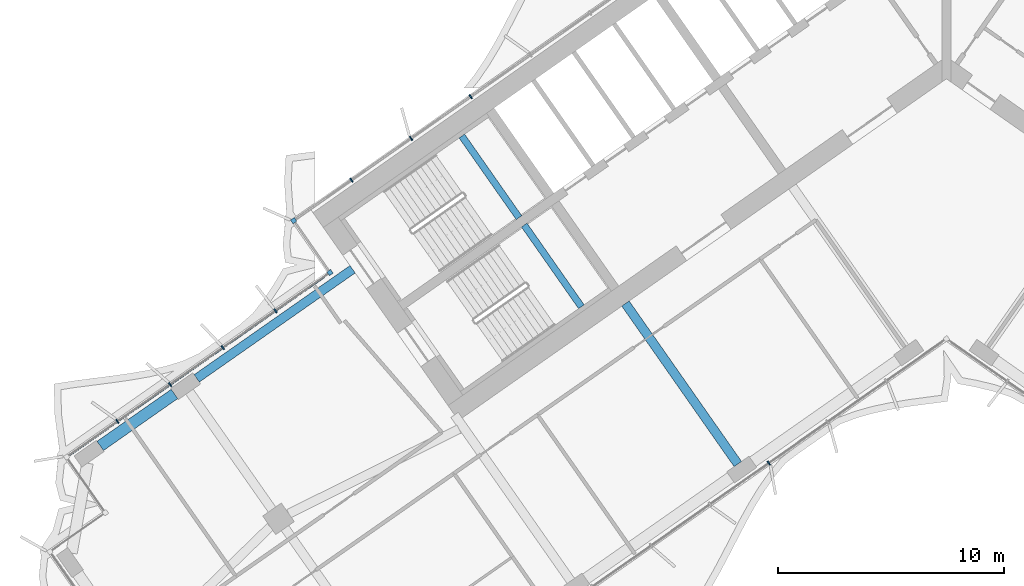
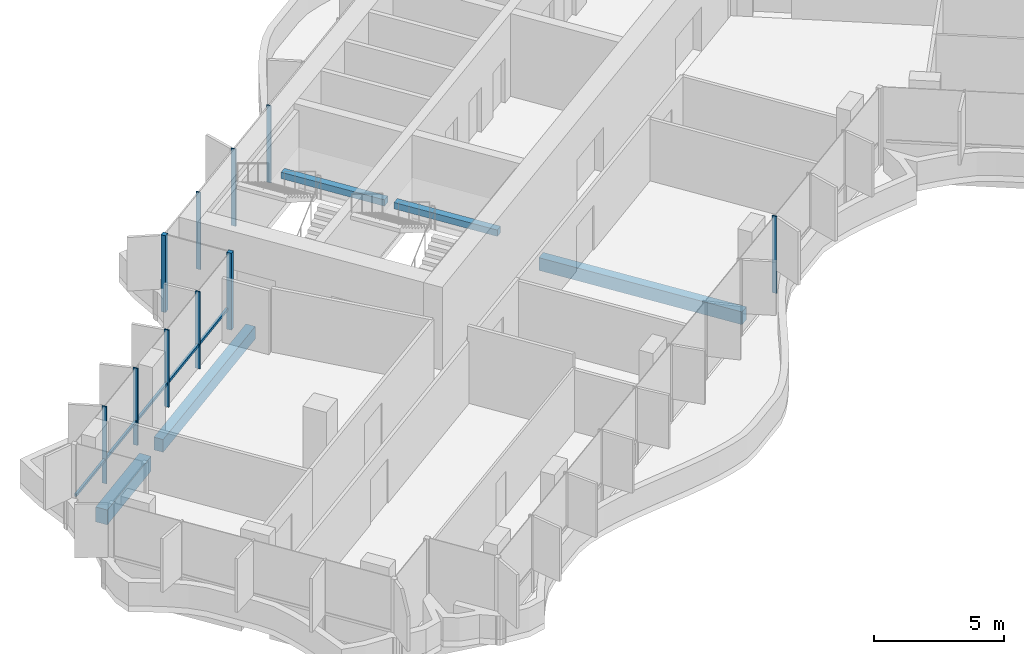
# One storey, part 4 of 21: 11 members, 5 beams, 2 elements without a shape of their own.
"""IFC4 building model written with IfcOpenShell, lengths in metres."""

from ifc_helpers import new_model, si_unit, direction, frame, origin, origin_2d, place, context, subcontext, project, spatial, rectangle, extrude, material, material_profile, profile_set, type_object, element, aggregate, save


model = new_model("IFC4")

# Units and contexts
model_context = context("Model", 3, precision=1e-05, world=origin(), true_north=direction((0.0, 1.0)))
body_context = subcontext(model_context, "Body", "Model", "MODEL_VIEW")
ifc_project = project(units=[si_unit("LENGTHUNIT", "METRE"), si_unit("AREAUNIT", "SQUARE_METRE"), si_unit("VOLUMEUNIT", "CUBIC_METRE"), si_unit("PLANEANGLEUNIT", "RADIAN"), si_unit("MASSUNIT", "GRAM", prefix="KILO")], contexts=[model_context])

# Site, building, storey
site_placement = place(None, origin())
site = spatial("IfcSite", under=ifc_project, at=site_placement, CompositionType="ELEMENT")
building_placement = place(site_placement, origin())
building = spatial("IfcBuilding", under=site, at=building_placement, Name="Tel Ilan Convention Tower", CompositionType="ELEMENT")
storey_placement = place(building_placement, frame((0.0, 0.0, 155.39990234375)))
storey = spatial("IfcBuildingStorey", under=building, at=storey_placement, Name="L35", CompositionType="ELEMENT", Elevation=155.39990234375)

# Beams
ifc_material_1 = material(Name="Concrete C40/50", Category="concrete")
ifc_material_profile_1 = material_profile(ifc_material_1, rectangle(XDim=0.39990234375, YDim=0.60009765625, at=origin_2d()), Name="RC 400x600")
ifc_profile_set_1 = profile_set([ifc_material_profile_1], Name="Concrete C40/50")
beam_type_1 = type_object("IfcBeamType", Name="Beam RC 400x600 Concrete C40/50", PredefinedType="BEAM", material=ifc_profile_set_1)
beam_1_placement = place(storey_placement, frame((-33.09912109375, -14.44775390625, -0.579833984375), z_axis=(0.819147254605, 0.573583276668, 0.0), x_axis=(-0.573583276668, 0.819147254605, 0.0)))
element("IfcBeam", 1, at=beam_1_placement, inside=storey, type_object=beam_type_1, Name="L35 beam W-W-B4-core", PredefinedType="BEAM", context=body_context, shape_type="SweptSolid", body=[
    extrude(rectangle(XDim=0.39990234375, YDim=0.60009765625, at=origin_2d()), origin(), (0.0, 0.0, 1.0), 8.400146484375),
])
beam_2_placement = place(storey_placement, frame((-9.209716796875, -18.229248046875, -0.579833984375), z_axis=(-0.573574099654, 0.819153680457, 0.0), x_axis=(-0.819153680457, -0.573574099654, 0.0)))
element("IfcBeam", 2, at=beam_2_placement, inside=storey, type_object=beam_type_1, Name="L35 beam W-W-F2-core", PredefinedType="BEAM", context=body_context, shape_type="SweptSolid", body=[
    extrude(rectangle(XDim=0.39990234375, YDim=0.60009765625, at=origin_2d()), origin(), (0.0, 0.0, 1.0), 8.64990234375),
])
ifc_material_2 = material(Name="Concrete C40/50", Category="concrete")
ifc_material_profile_2 = material_profile(ifc_material_2, rectangle(XDim=0.5, YDim=0.699951171875, at=origin_2d()), Name="RC 500x700")
ifc_profile_set_2 = profile_set([ifc_material_profile_2], Name="Concrete C40/50")
beam_type_2 = type_object("IfcBeamType", Name="Beam RC 500x700 Concrete C40/50", PredefinedType="BEAM", material=ifc_profile_set_2)
beam_3_placement = place(storey_placement, frame((-37.358642578125, -17.430419921875, -0.6298828125), z_axis=(0.819137286189, 0.573597512525, 0.0), x_axis=(-0.573597512525, 0.819137286189, 0.0)))
element("IfcBeam", 3, at=beam_3_placement, inside=storey, type_object=beam_type_2, Name="L35 beam W-W-BC-W-B4", PredefinedType="BEAM", context=body_context, shape_type="SweptSolid", body=[
    extrude(rectangle(XDim=0.5, YDim=0.699951171875, at=origin_2d()), origin(), (0.0, 0.0, 1.0), 4.0),
])

# Curtain wall, members
ifc_material_3 = material(Name="Aluminium, bronze anodised", Category="aluminium")
curtain_wall_type_1 = type_object("IfcCurtainWallType", Name="CW2 STICK CURTAIN WALL, SPANDREL PANELS", PredefinedType="NOTDEFINED", material=ifc_material_3)
curtain_wall_1_placement = place(storey_placement, origin())
curtain_wall_1 = element("IfcCurtainWall", 4, at=curtain_wall_1_placement, inside=storey, type_object=curtain_wall_type_1, Name="Curtain wall CW2-27.01", PredefinedType="NOTDEFINED")
ifc_material_4 = material(Name="Aluminium, bronze anodised", Category="aluminium")
ifc_material_profile_3 = material_profile(ifc_material_4, rectangle(XDim=0.199951171875, YDim=0.199951171875, at=origin_2d()), Name="CW CORNER MULLION 200x200")
ifc_profile_set_3 = profile_set([ifc_material_profile_3], Name="Aluminium, bronze anodised")
member_type_1 = type_object("IfcMemberType", Name="CW CORNER MULLION 200x200", PredefinedType="MULLION", material=ifc_profile_set_3)
member_1_placement = place(storey_placement, frame((-28.819580078125, -7.483642578125, 0.0), z_axis=(0.0, 0.0, 1.0), x_axis=(-0.819152044289, -0.573576436351, 0.0)))
member_1 = element("IfcMember", 5, at=member_1_placement, type_object=member_type_1, Name="Corner mullion", PredefinedType="MULLION", context=body_context, shape_type="SweptSolid", body=[
    extrude(rectangle(XDim=0.199951171875, YDim=0.199951171875, at=origin_2d()), origin(), (0.0, 0.0, 1.0), 3.6201171875),
])
member_2_placement = place(storey_placement, frame((-27.213623046875, -9.77734375, 0.0), z_axis=(0.0, 0.0, 1.0), x_axis=(0.573576436351, -0.819152044289, 0.0)))
member_2 = element("IfcMember", 6, at=member_2_placement, type_object=member_type_1, Name="Corner mullion", PredefinedType="MULLION", context=body_context, shape_type="SweptSolid", body=[
    extrude(rectangle(XDim=0.199951171875, YDim=0.199951171875, at=origin_2d()), origin(), (0.0, 0.0, 1.0), 3.6201171875),
])
ifc_material_5 = material(Name="Aluminium, bronze anodised", Category="aluminium")
ifc_material_profile_4 = material_profile(ifc_material_5, rectangle(XDim=0.06005859375, YDim=0.199951171875, at=origin_2d()), Name="CW MULLION 60x200")
ifc_profile_set_4 = profile_set([ifc_material_profile_4], Name="Aluminium, bronze anodised")
member_type_2 = type_object("IfcMemberType", Name="CW MULLION 60x200", PredefinedType="MULLION", material=ifc_profile_set_4)
member_3_placement = place(storey_placement, frame((-21.003662109375, -2.0107421875, 0.0), z_axis=(0.0, 0.0, 1.0), x_axis=(-0.819152044289, -0.573576436351, 0.0)))
member_3 = element("IfcMember", 7, at=member_3_placement, type_object=member_type_2, Name="Mullion", PredefinedType="MULLION", context=body_context, shape_type="SweptSolid", body=[
    extrude(rectangle(XDim=0.06005859375, YDim=0.199951171875, at=origin_2d()), origin(), (0.0, 0.0, 1.0), 3.6201171875),
])
member_4_placement = place(storey_placement, frame((-23.63623046875, -3.854248046875, 0.0), z_axis=(0.0, 0.0, 1.0), x_axis=(-0.819152044289, -0.573576436351, 0.0)))
member_4 = element("IfcMember", 8, at=member_4_placement, type_object=member_type_2, Name="Mullion", PredefinedType="MULLION", context=body_context, shape_type="SweptSolid", body=[
    extrude(rectangle(XDim=0.06005859375, YDim=0.199951171875, at=origin_2d()), origin(), (0.0, 0.0, 1.0), 3.6201171875),
])
member_5_placement = place(storey_placement, frame((-26.268798828125, -5.697509765625, 0.0), z_axis=(0.0, 0.0, 1.0), x_axis=(-0.819152044289, -0.573576436351, 0.0)))
member_5 = element("IfcMember", 9, at=member_5_placement, type_object=member_type_2, Name="Mullion", PredefinedType="MULLION", context=body_context, shape_type="SweptSolid", body=[
    extrude(rectangle(XDim=0.06005859375, YDim=0.199951171875, at=origin_2d()), origin(), (0.0, 0.0, 1.0), 3.6201171875),
])
aggregate(curtain_wall_1, [member_3, member_4, member_5, member_1, member_2])

ifc_material_6 = material(Name="Aluminium, bronze anodised", Category="aluminium")
curtain_wall_type_2 = type_object("IfcCurtainWallType", Name="CW4 STICK CURTAIN WALL, OFFICE TINTED GLASS", PredefinedType="NOTDEFINED", material=ifc_material_6)
curtain_wall_2_placement = place(storey_placement, origin())
curtain_wall_2 = element("IfcCurtainWall", 10, at=curtain_wall_2_placement, inside=storey, type_object=curtain_wall_type_2, Name="Curtain wall CW4-27.02", PredefinedType="NOTDEFINED")
member_6_placement = place(storey_placement, frame((-29.621826171875, -11.463623046875, 0.0), z_axis=(0.0, 0.0, 1.0), x_axis=(-0.819152044289, -0.573576436351, 0.0)))
member_6 = element("IfcMember", 11, at=member_6_placement, type_object=member_type_2, Name="Mullion", PredefinedType="MULLION", context=body_context, shape_type="SweptSolid", body=[
    extrude(rectangle(XDim=0.06005859375, YDim=0.199951171875, at=origin_2d()), origin(), (0.0, 0.0, 1.0), 3.6201171875),
])
member_7_placement = place(storey_placement, frame((-31.9482421875, -13.092529296875, 0.0), z_axis=(0.0, 0.0, 1.0), x_axis=(-0.819152044289, -0.573576436351, 0.0)))
member_7 = element("IfcMember", 12, at=member_7_placement, type_object=member_type_2, Name="Mullion", PredefinedType="MULLION", context=body_context, shape_type="SweptSolid", body=[
    extrude(rectangle(XDim=0.06005859375, YDim=0.199951171875, at=origin_2d()), origin(), (0.0, 0.0, 1.0), 3.6201171875),
])
member_8_placement = place(storey_placement, frame((-34.274658203125, -14.721435546875, 0.0), z_axis=(0.0, 0.0, 1.0), x_axis=(-0.819152044289, -0.573576436351, 0.0)))
member_8 = element("IfcMember", 13, at=member_8_placement, type_object=member_type_2, Name="Mullion", PredefinedType="MULLION", context=body_context, shape_type="SweptSolid", body=[
    extrude(rectangle(XDim=0.06005859375, YDim=0.199951171875, at=origin_2d()), origin(), (0.0, 0.0, 1.0), 3.6201171875),
])
member_9_placement = place(storey_placement, frame((-36.60107421875, -16.350341796875, 0.0), z_axis=(0.0, 0.0, 1.0), x_axis=(-0.819152044289, -0.573576436351, 0.0)))
member_9 = element("IfcMember", 14, at=member_9_placement, type_object=member_type_2, Name="Mullion", PredefinedType="MULLION", context=body_context, shape_type="SweptSolid", body=[
    extrude(rectangle(XDim=0.06005859375, YDim=0.199951171875, at=origin_2d()), origin(), (0.0, 0.0, 1.0), 3.6201171875),
])
member_10_placement = place(storey_placement, frame((-7.842529296875, -18.1875, 0.0), z_axis=(0.0, 0.0, 1.0), x_axis=(0.819152044289, 0.573576436351, 0.0)))
member_10 = element("IfcMember", 15, at=member_10_placement, type_object=member_type_2, Name="Mullion", PredefinedType="MULLION", context=body_context, shape_type="SweptSolid", body=[
    extrude(rectangle(XDim=0.06005859375, YDim=0.199951171875, at=origin_2d()), origin(), (0.0, 0.0, 1.0), 3.6201171875),
])
ifc_material_7 = material(Name="Aluminium, bronze anodised", Category="aluminium")
ifc_material_profile_5 = material_profile(ifc_material_7, rectangle(XDim=0.10009765625, YDim=0.1201171875, at=origin_2d()), Name="CW TRANSOM 100x120")
ifc_profile_set_5 = profile_set([ifc_material_profile_5], Name="Aluminium, bronze anodised")
member_type_3 = type_object("IfcMemberType", Name="CW TRANSOM 100x120", PredefinedType="USERDEFINED", material=ifc_profile_set_5)
member_11_placement = place(storey_placement, frame((-27.459228515625, -9.94921875, 1.10009765625), z_axis=(-0.819149630799, -0.573579883156, 0.0), x_axis=(0.573579883156, -0.819149630799, 0.0)))
member_11 = element("IfcMember", 16, at=member_11_placement, type_object=member_type_3, Name="Transom", ObjectType="TRANSOM", PredefinedType="USERDEFINED", context=body_context, shape_type="SweptSolid", body=[
    extrude(rectangle(XDim=0.10009765625, YDim=0.1201171875, at=origin_2d()), origin(), (0.0, 0.0, 1.0), 13.80029296875),
])
aggregate(curtain_wall_2, [member_6, member_7, member_8, member_9, member_11, member_10])

# Beams
ifc_material_8 = material(Name="Concrete C40/50", Category="concrete")
ifc_material_profile_6 = material_profile(ifc_material_8, rectangle(XDim=0.300048828125, YDim=0.300048828125, at=origin_2d()), Name="RC 300x300")
ifc_profile_set_6 = profile_set([ifc_material_profile_6], Name="Concrete C40/50")
beam_type_3 = type_object("IfcBeamType", Name="Landing Beam RC 300x300 Concrete C40/50", PredefinedType="BEAM", material=ifc_profile_set_6)
beam_4_placement = place(storey_placement, frame((-18.870361328125, -7.353515625, 1.60009765625), z_axis=(-0.57354426506, 0.819174569928, 0.0), x_axis=(-0.819174569928, -0.57354426506, 0.0)))
element("IfcBeam", 17, at=beam_4_placement, inside=storey, type_object=beam_type_3, Name="S1 landing beam L35.1", PredefinedType="BEAM", context=body_context, shape_type="SweptSolid", body=[
    extrude(rectangle(XDim=0.300048828125, YDim=0.300048828125, at=origin_2d()), origin(), (0.0, 0.0, 1.0), 4.400146484375),
])
beam_5_placement = place(storey_placement, frame((-16.1171875, -11.285400390625, 1.60009765625), z_axis=(-0.573570334442, 0.819156316858, 0.0), x_axis=(-0.819156316858, -0.573570334442, 0.0)))
element("IfcBeam", 18, at=beam_5_placement, inside=storey, type_object=beam_type_3, Name="S2 landing beam L35.1", PredefinedType="BEAM", context=body_context, shape_type="SweptSolid", body=[
    extrude(rectangle(XDim=0.300048828125, YDim=0.300048828125, at=origin_2d()), origin(), (0.0, 0.0, 1.0), 4.39990234375),
])

save(model, "model.ifc")
